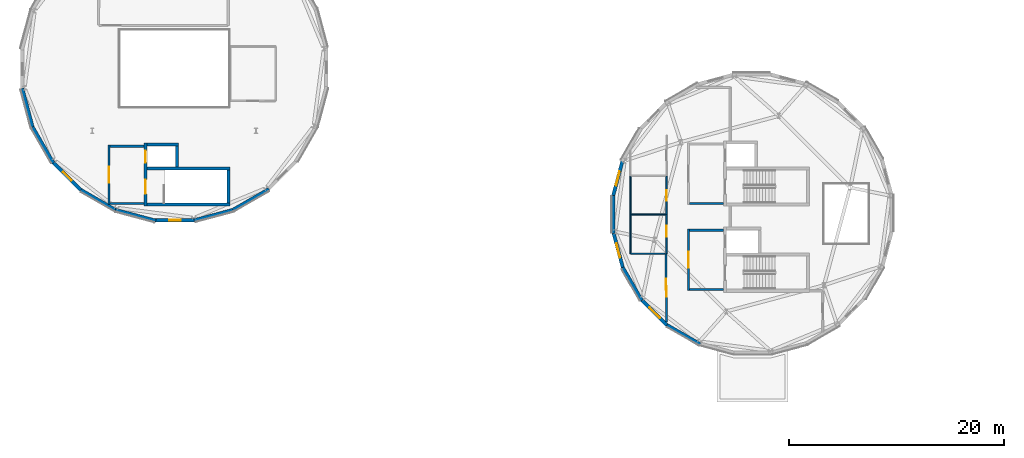
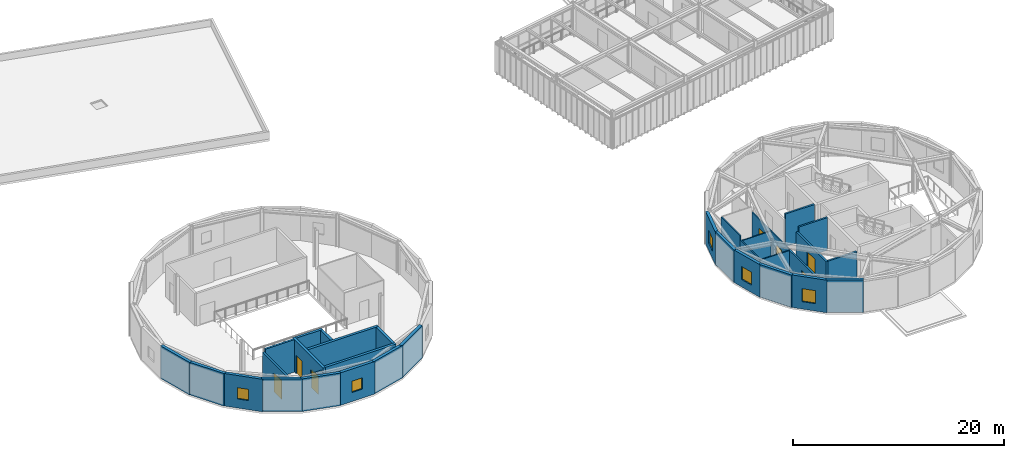
# One storey, part 26 of 44: 34 walls, 7 doors, 5 windows, 12 openings.
"""IFC4 building model written with IfcOpenShell, lengths in metres."""

from ifc_helpers import new_model, si_unit, direction, frame, frame_2d, origin, place, context, subcontext, project, spatial, rectangle, extrude, material, layer, layer_set, type_object, element, fill, save


model = new_model("IFC4")

# Units and contexts
model_context = context("Model", 3, precision=1e-05, world=origin(), true_north=direction((0.0, 1.0)))
body_context = subcontext(model_context, "Body", "Model", "MODEL_VIEW")
ifc_project = project(units=[si_unit("LENGTHUNIT", "METRE"), si_unit("AREAUNIT", "SQUARE_METRE"), si_unit("VOLUMEUNIT", "CUBIC_METRE"), si_unit("PLANEANGLEUNIT", "RADIAN"), si_unit("MASSUNIT", "GRAM", prefix="KILO")], contexts=[model_context])

# Site, building, storey
site_placement = place(None, origin())
site = spatial("IfcSite", under=ifc_project, at=site_placement, CompositionType="ELEMENT")
building_placement = place(site_placement, origin())
building = spatial("IfcBuilding", under=site, at=building_placement, Name="Varnklinge Art Gallery", CompositionType="ELEMENT")
storey_placement = place(building_placement, frame((0.0, 0.0, 13.679931640625)))
storey = spatial("IfcBuildingStorey", under=building, at=storey_placement, Name="L03", CompositionType="ELEMENT", Elevation=13.679931640625)

# Walls
ifc_material_1 = material(Name="Precast concrete C40/50", Category="concrete")
ifc_layer_1 = layer(ifc_material_1, 0.320068359375)
ifc_layer_set_1 = layer_set([ifc_layer_1], Name="Precast concrete C40/50")
wall_type_1 = type_object("IfcWallType", Name="EW-32", PredefinedType="SOLIDWALL", material=ifc_layer_set_1)
wall_1_placement = place(storey_placement, frame((30.606689453125, 40.78369140625, 0.0), z_axis=(0.0, 0.0, 1.0), x_axis=(-0.866049276577, -0.499958648831, 0.0)))
element("IfcWall", 1, at=wall_1_placement, inside=storey, type_object=wall_type_1, Name="L03 Exterior Wall EW-V3-L03-05", PredefinedType="SOLIDWALL", context=body_context, shape_type="SweptSolid", body=[
    extrude(rectangle(XDim=3.877197265625, YDim=0.320068359375, at=frame_2d((1.9384765625, 0.0))), origin(), (0.0, 0.0, 1.0), 3.760009765625),
])
wall_2_placement = place(storey_placement, frame((27.4033203125, 38.88671875, 0.0), z_axis=(0.0, 0.0, 1.0), x_axis=(-0.965926970208, -0.258814775902, 0.0)))
element("IfcWall", 2, at=wall_2_placement, inside=storey, type_object=wall_type_1, Name="L03 Exterior Wall EW-V3-L03-06", PredefinedType="SOLIDWALL", context=body_context, shape_type="SweptSolid", body=[
    extrude(rectangle(XDim=3.876953125, YDim=0.320068359375, at=frame_2d((1.9384765625, 0.0))), origin(), (0.0, 0.0, 1.0), 3.760009765625),
])

# Wall, opening, window
wall_3_placement = place(storey_placement, frame((23.818603515625, 37.88330078125, 0.0), z_axis=(0.0, 0.0, 1.0), x_axis=(-1.0, 0.0, 0.0)))
wall_3 = element("IfcWall", 3, at=wall_3_placement, inside=storey, type_object=wall_type_1, Name="L03 Exterior Wall EW-V3-L03-07", PredefinedType="SOLIDWALL", context=body_context, shape_type="SweptSolid", body=[
    extrude(rectangle(XDim=3.877197265625, YDim=0.320068359375, at=frame_2d((1.9384765625, 0.0))), origin(), (0.0, 0.0, 1.0), 3.760009765625),
])
opening_1_placement = place(wall_3_placement, frame((1.388427734375, 0.0, 1.050048828125)))
opening_1 = element("IfcOpeningElement", 4, at=opening_1_placement, cuts=wall_3, Name="Opening WN-15", PredefinedType="OPENING", context=body_context, shape_type="SweptSolid", body=[
    extrude(rectangle(XDim=1.10009765625, YDim=1.300048828125, at=frame_2d((0.550048828125, 0.64990234375))), frame((0.0, 0.170166015625, 0.0), z_axis=(0.0, -1.0, 0.0), x_axis=(1.0, 0.0, 0.0)), (0.0, 0.0, 1.0), 0.340087890625),
])
ifc_material_2 = material(Name="Insulated Low-E Triple Glazing", Category="glass")
window_type_1 = type_object("IfcWindowType", Name="WN-15", PartitioningType="SINGLE_PANEL", PredefinedType="WINDOW", material=ifc_material_2)
window_1_placement = place(opening_1_placement, origin())
window_1 = element("IfcWindow", 5, at=window_1_placement, inside=storey, type_object=window_type_1, Name="L03 Window WIN-L03-060", OverallHeight=1.300048828125, OverallWidth=1.10009765625, PartitioningType="SINGLE_PANEL", PredefinedType="WINDOW", context=body_context, shape_type="SweptSolid", body=[
    extrude(rectangle(XDim=1.10009765625, YDim=1.300048828125, at=frame_2d((0.550048828125, 0.64990234375))), frame((0.0, 0.030029296875, 0.0), z_axis=(0.0, -1.0, 0.0), x_axis=(1.0, 0.0, 0.0)), (0.0, 0.0, 1.0), 0.06005859375),
])
fill(opening_1, window_1)

# Walls
wall_4_placement = place(storey_placement, frame((20.095947265625, 37.841796875, 0.0), z_axis=(0.0, 0.0, 1.0), x_axis=(-0.96592275164, 0.258830519575, 0.0)))
element("IfcWall", 6, at=wall_4_placement, inside=storey, type_object=wall_type_1, Name="L03 Exterior Wall EW-V3-L03-08", PredefinedType="SOLIDWALL", context=body_context, shape_type="SweptSolid", body=[
    extrude(rectangle(XDim=3.876708984375, YDim=0.320068359375, at=frame_2d((1.9384765625, 0.0))), origin(), (0.0, 0.0, 1.0), 3.760009765625),
])
wall_5_placement = place(storey_placement, frame((16.48974609375, 38.76513671875, 0.0), z_axis=(0.0, 0.0, 1.0), x_axis=(-0.866033536122, 0.499985914114, 0.0)))
element("IfcWall", 7, at=wall_5_placement, inside=storey, type_object=wall_type_1, Name="L03 Exterior Wall EW-V3-L03-09", PredefinedType="SOLIDWALL", context=body_context, shape_type="SweptSolid", body=[
    extrude(rectangle(XDim=3.876953125, YDim=0.320068359375, at=frame_2d((1.9384765625, 0.0))), origin(), (0.0, 0.0, 1.0), 3.760009765625),
])

# Wall, opening, window
wall_6_placement = place(storey_placement, frame((13.2451171875, 40.590576171875, 0.0), z_axis=(0.0, 0.0, 1.0), x_axis=(-0.707106781187, 0.707106781187, 0.0)))
wall_6 = element("IfcWall", 8, at=wall_6_placement, inside=storey, type_object=wall_type_1, Name="L03 Exterior Wall EW-V3-L03-10", PredefinedType="SOLIDWALL", context=body_context, shape_type="SweptSolid", body=[
    extrude(rectangle(XDim=3.876953125, YDim=0.320068359375, at=frame_2d((1.9384765625, 0.0))), origin(), (0.0, 0.0, 1.0), 3.760009765625),
])
opening_2_placement = place(wall_6_placement, frame((1.388427734375, 0.0, 1.050048828125)))
opening_2 = element("IfcOpeningElement", 9, at=opening_2_placement, cuts=wall_6, Name="Opening WN-15", PredefinedType="OPENING", context=body_context, shape_type="SweptSolid", body=[
    extrude(rectangle(XDim=1.10009765625, YDim=1.300048828125, at=frame_2d((0.550048828125, 0.64990234375))), frame((0.0, 0.170166015625, 0.0), z_axis=(0.0, -1.0, 0.0), x_axis=(1.0, 0.0, 0.0)), (0.0, 0.0, 1.0), 0.340087890625),
])
window_2_placement = place(opening_2_placement, origin())
window_2 = element("IfcWindow", 10, at=window_2_placement, inside=storey, type_object=window_type_1, Name="L03 Window WIN-L03-061", OverallHeight=1.300048828125, OverallWidth=1.10009765625, PartitioningType="SINGLE_PANEL", PredefinedType="WINDOW", context=body_context, shape_type="SweptSolid", body=[
    extrude(rectangle(XDim=1.10009765625, YDim=1.300048828125, at=frame_2d((0.550048828125, 0.64990234375))), frame((0.0, 0.030029296875, 0.0), z_axis=(0.0, -1.0, 0.0), x_axis=(1.0, 0.0, 0.0)), (0.0, 0.0, 1.0), 0.06005859375),
])
fill(opening_2, window_2)

# Walls
wall_7_placement = place(storey_placement, frame((10.583740234375, 43.193359375, 0.0), z_axis=(0.0, 0.0, 1.0), x_axis=(-0.499958648831, 0.866049276577, 0.0)))
element("IfcWall", 11, at=wall_7_placement, inside=storey, type_object=wall_type_1, Name="L03 Exterior Wall EW-V3-L03-11", PredefinedType="SOLIDWALL", context=body_context, shape_type="SweptSolid", body=[
    extrude(rectangle(XDim=3.877197265625, YDim=0.320068359375, at=frame_2d((1.9384765625, 0.0))), origin(), (0.0, 0.0, 1.0), 3.760009765625),
])
wall_8_placement = place(storey_placement, frame((8.6865234375, 46.396728515625, 0.0), z_axis=(0.0, 0.0, 1.0), x_axis=(-0.258814775902, 0.965926970208, 0.0)))
element("IfcWall", 12, at=wall_8_placement, inside=storey, type_object=wall_type_1, Name="L03 Exterior Wall EW-V3-L03-12", PredefinedType="SOLIDWALL", context=body_context, shape_type="SweptSolid", body=[
    extrude(rectangle(XDim=3.876953125, YDim=0.320068359375, at=frame_2d((1.9384765625, 0.0))), origin(), (0.0, 0.0, 1.0), 3.760009765625),
])
wall_9_placement = place(storey_placement, frame((70.64892578125, 26.373779296875, 0.0), z_axis=(0.0, 0.0, 1.0), x_axis=(-0.866021313335, 0.500007084799, 0.0)))
element("IfcWall", 13, at=wall_9_placement, inside=storey, type_object=wall_type_1, Name="L03 Exterior Wall EW-V4D-L03-09", PredefinedType="SOLIDWALL", context=body_context, shape_type="SweptSolid", body=[
    extrude(rectangle(XDim=3.56396484375, YDim=0.320068359375, at=frame_2d((1.781982421875, 0.0))), origin(), (0.0, 0.0, 1.0), 3.760009765625),
])

# Wall, opening, window
wall_10_placement = place(storey_placement, frame((67.675537109375, 28.04248046875, 0.0), z_axis=(0.0, 0.0, 1.0), x_axis=(-0.707072526286, 0.707141034428, 0.0)))
wall_10 = element("IfcWall", 14, at=wall_10_placement, inside=storey, type_object=wall_type_1, Name="L03 Exterior Wall EW-V4D-L03-10", PredefinedType="SOLIDWALL", context=body_context, shape_type="SweptSolid", body=[
    extrude(rectangle(XDim=3.563720703125, YDim=0.320068359375, at=frame_2d((1.78173828125, 0.0))), origin(), (0.0, 0.0, 1.0), 3.760009765625),
])
opening_3_placement = place(wall_10_placement, frame((1.106689453125, 0.0, 0.85009765625)))
opening_3 = element("IfcOpeningElement", 15, at=opening_3_placement, cuts=wall_10, Name="Opening WN-02", PredefinedType="OPENING", context=body_context, shape_type="SweptSolid", body=[
    extrude(rectangle(XDim=1.35009765625, YDim=1.5, at=frame_2d((0.675048828125, 0.75))), frame((0.0, 0.170166015625, 0.0), z_axis=(0.0, -1.0, 0.0), x_axis=(1.0, 0.0, 0.0)), (0.0, 0.0, 1.0), 0.340087890625),
])
ifc_material_3 = material(Name="Insulated Low-E Triple Glazing", Category="glass")
window_type_2 = type_object("IfcWindowType", Name="WN-02", PartitioningType="SINGLE_PANEL", PredefinedType="WINDOW", material=ifc_material_3)
window_3_placement = place(opening_3_placement, origin())
window_3 = element("IfcWindow", 16, at=window_3_placement, inside=storey, type_object=window_type_2, Name="L03 Window WIN-L03-098", OverallHeight=1.5, OverallWidth=1.35009765625, PartitioningType="SINGLE_PANEL", PredefinedType="WINDOW", context=body_context, shape_type="SweptSolid", body=[
    extrude(rectangle(XDim=1.35009765625, YDim=1.5, at=frame_2d((0.675048828125, 0.75))), frame((0.0, 0.030029296875, 0.0), z_axis=(0.0, -1.0, 0.0), x_axis=(1.0, 0.0, 0.0)), (0.0, 0.0, 1.0), 0.06005859375),
])
fill(opening_3, window_3)

# Wall
wall_11_placement = place(storey_placement, frame((65.235595703125, 30.423828125, 0.0), z_axis=(0.0, 0.0, 1.0), x_axis=(-0.499926044331, 0.8660680979, 0.0)))
element("IfcWall", 17, at=wall_11_placement, inside=storey, type_object=wall_type_1, Name="L03 Exterior Wall EW-V4D-L03-11", PredefinedType="SOLIDWALL", context=body_context, shape_type="SweptSolid", body=[
    extrude(rectangle(XDim=3.56396484375, YDim=0.320068359375, at=frame_2d((1.781982421875, 0.0))), origin(), (0.0, 0.0, 1.0), 3.760009765625),
])

# Wall, opening, window
wall_12_placement = place(storey_placement, frame((63.495361328125, 33.35595703125, 0.0), z_axis=(0.0, 0.0, 1.0), x_axis=(-0.258830827966, 0.965922669003, 0.0)))
wall_12 = element("IfcWall", 18, at=wall_12_placement, inside=storey, type_object=wall_type_1, Name="L03 Exterior Wall EW-V4D-L03-12", PredefinedType="SOLIDWALL", context=body_context, shape_type="SweptSolid", body=[
    extrude(rectangle(XDim=3.5634765625, YDim=0.320068359375, at=frame_2d((1.78173828125, 0.0))), origin(), (0.0, 0.0, 1.0), 3.760009765625),
])
opening_4_placement = place(wall_12_placement, frame((1.10693359375, 0.0, 0.85009765625)))
opening_4 = element("IfcOpeningElement", 19, at=opening_4_placement, cuts=wall_12, Name="Opening WN-02", PredefinedType="OPENING", context=body_context, shape_type="SweptSolid", body=[
    extrude(rectangle(XDim=1.35009765625, YDim=1.5, at=frame_2d((0.675048828125, 0.75))), frame((0.0, 0.170166015625, 0.0), z_axis=(0.0, -1.0, 0.0), x_axis=(1.0, 0.0, 0.0)), (0.0, 0.0, 1.0), 0.340087890625),
])
window_4_placement = place(opening_4_placement, origin())
window_4 = element("IfcWindow", 20, at=window_4_placement, inside=storey, type_object=window_type_2, Name="L03 Window WIN-L03-099", OverallHeight=1.5, OverallWidth=1.35009765625, PartitioningType="SINGLE_PANEL", PredefinedType="WINDOW", context=body_context, shape_type="SweptSolid", body=[
    extrude(rectangle(XDim=1.35009765625, YDim=1.5, at=frame_2d((0.675048828125, 0.75))), frame((0.0, 0.030029296875, 0.0), z_axis=(0.0, -1.0, 0.0), x_axis=(1.0, 0.0, 0.0)), (0.0, 0.0, 1.0), 0.06005859375),
])
fill(opening_4, window_4)

# Wall
wall_13_placement = place(storey_placement, frame((62.572998046875, 36.63818359375, 0.0), z_axis=(0.0, 0.0, 1.0), x_axis=(0.0, 1.0, 0.0)))
element("IfcWall", 21, at=wall_13_placement, inside=storey, type_object=wall_type_1, Name="L03 Exterior Wall EW-V4D-L03-13", PredefinedType="SOLIDWALL", context=body_context, shape_type="SweptSolid", body=[
    extrude(rectangle(XDim=3.563720703125, YDim=0.320068359375, at=frame_2d((1.78173828125, 0.0))), origin(), (0.0, 0.0, 1.0), 3.760009765625),
])

# Wall, opening, window
wall_14_placement = place(storey_placement, frame((62.531494140625, 40.04736328125, 0.0), z_axis=(0.0, 0.0, 1.0), x_axis=(0.258830827966, 0.965922669003, 0.0)))
wall_14 = element("IfcWall", 22, at=wall_14_placement, inside=storey, type_object=wall_type_1, Name="L03 Exterior Wall EW-V4D-L03-14", PredefinedType="SOLIDWALL", context=body_context, shape_type="SweptSolid", body=[
    extrude(rectangle(XDim=3.5634765625, YDim=0.320068359375, at=frame_2d((1.78173828125, 0.0))), origin(), (0.0, 0.0, 1.0), 3.760009765625),
])
opening_5_placement = place(wall_14_placement, frame((1.10693359375, 0.0, 0.85009765625)))
opening_5 = element("IfcOpeningElement", 23, at=opening_5_placement, cuts=wall_14, Name="Opening WN-02", PredefinedType="OPENING", context=body_context, shape_type="SweptSolid", body=[
    extrude(rectangle(XDim=1.35009765625, YDim=1.5, at=frame_2d((0.675048828125, 0.75))), frame((0.0, 0.170166015625, 0.0), z_axis=(0.0, -1.0, 0.0), x_axis=(1.0, 0.0, 0.0)), (0.0, 0.0, 1.0), 0.340087890625),
])
window_5_placement = place(opening_5_placement, origin())
window_5 = element("IfcWindow", 24, at=window_5_placement, inside=storey, type_object=window_type_2, Name="L03 Window WIN-L03-100", OverallHeight=1.5, OverallWidth=1.35009765625, PartitioningType="SINGLE_PANEL", PredefinedType="WINDOW", context=body_context, shape_type="SweptSolid", body=[
    extrude(rectangle(XDim=1.35009765625, YDim=1.5, at=frame_2d((0.675048828125, 0.75))), frame((0.0, 0.030029296875, 0.0), z_axis=(0.0, -1.0, 0.0), x_axis=(1.0, 0.0, 0.0)), (0.0, 0.0, 1.0), 0.06005859375),
])
fill(opening_5, window_5)

# Wall, opening, door
ifc_material_4 = material(Name="Gypsum Board Partition", Category="gypsum")
ifc_layer_2 = layer(ifc_material_4, 0.1201171875)
ifc_layer_set_2 = layer_set([ifc_layer_2], Name="Gypsum Board Partition")
wall_type_2 = type_object("IfcWallType", Name="IW-12", PredefinedType="PARTITIONING", material=ifc_layer_set_2)
wall_15_placement = place(storey_placement, frame((67.530029296875, 38.39990234375, 0.0), z_axis=(0.0, 0.0, 1.0), x_axis=(0.0, -1.0, 0.0)))
wall_15 = element("IfcWall", 25, at=wall_15_placement, inside=storey, type_object=wall_type_2, Name="L03 Partition Wall IW-L03-0334", PredefinedType="PARTITIONING", context=body_context, shape_type="SweptSolid", body=[
    extrude(rectangle(XDim=3.599853515625, YDim=0.1201171875, at=frame_2d((1.7998046875, 0.0))), origin(), (0.0, 0.0, 1.0), 3.150146484375),
])
opening_6_placement = place(wall_15_placement, frame((1.001953125, 0.0, 0.0)))
opening_6 = element("IfcOpeningElement", 26, at=opening_6_placement, cuts=wall_15, Name="Opening D-L03-252", PredefinedType="OPENING", context=body_context, shape_type="SweptSolid", body=[
    extrude(rectangle(XDim=1.02001953125, YDim=2.1201171875, at=frame_2d((0.510009765625, 1.06005859375))), frame((0.0, 0.070068359375, 0.0), z_axis=(0.0, -1.0, 0.0), x_axis=(1.0, 0.0, 0.0)), (0.0, 0.0, 1.0), 0.14013671875),
])
ifc_material_5 = material(Name="Oak Timber Leaf", Category="wood")
door_type_1 = type_object("IfcDoorType", Name="ID-03", OperationType="SINGLE_SWING_LEFT", PredefinedType="DOOR", material=ifc_material_5)
door_1_placement = place(opening_6_placement, origin())
door_1 = element("IfcDoor", 27, at=door_1_placement, inside=storey, type_object=door_type_1, Name="L03 L03 Accessible WC Central Door D-L03-252", OperationType="SINGLE_SWING_RIGHT", OverallHeight=2.1201171875, OverallWidth=1.02001953125, PredefinedType="DOOR", context=body_context, shape_type="SweptSolid", body=[
    extrude(rectangle(XDim=1.02001953125, YDim=2.1201171875, at=frame_2d((0.510009765625, 1.06005859375))), frame((0.0, 0.02490234375, 0.0), z_axis=(0.0, -1.0, 0.0), x_axis=(1.0, 0.0, 0.0)), (0.0, 0.0, 1.0), 0.050048828125),
])
fill(opening_6, door_1)

wall_16_placement = place(storey_placement, frame((67.530029296875, 42.0, 0.0), z_axis=(0.0, 0.0, 1.0), x_axis=(0.0, -1.0, 0.0)))
wall_16 = element("IfcWall", 28, at=wall_16_placement, inside=storey, type_object=wall_type_2, Name="L03 Partition Wall IW-L03-0335", PredefinedType="PARTITIONING", context=body_context, shape_type="SweptSolid", body=[
    extrude(rectangle(XDim=3.60009765625, YDim=0.1201171875, at=frame_2d((1.800048828125, 0.0))), origin(), (0.0, 0.0, 1.0), 3.150146484375),
])
opening_7_placement = place(wall_16_placement, frame((1.320068359375, 0.0, 0.0)))
opening_7 = element("IfcOpeningElement", 29, at=opening_7_placement, cuts=wall_16, Name="Opening D-L03-253", PredefinedType="OPENING", context=body_context, shape_type="SweptSolid", body=[
    extrude(rectangle(XDim=0.9599609375, YDim=2.10009765625, at=frame_2d((0.47998046875, 1.050048828125))), frame((0.0, 0.070068359375, 0.0), z_axis=(0.0, -1.0, 0.0), x_axis=(1.0, 0.0, 0.0)), (0.0, 0.0, 1.0), 0.14013671875),
])
ifc_material_6 = material(Name="Oak Timber Leaf", Category="wood")
door_type_2 = type_object("IfcDoorType", Name="ID-02", OperationType="SINGLE_SWING_RIGHT", PredefinedType="DOOR", material=ifc_material_6)
door_2_placement = place(opening_7_placement, origin())
door_2 = element("IfcDoor", 30, at=door_2_placement, inside=storey, type_object=door_type_2, Name="L03 L03 Public Restroom Central Door D-L03-253", OperationType="SINGLE_SWING_LEFT", OverallHeight=2.10009765625, OverallWidth=0.9599609375, PredefinedType="DOOR", context=body_context, shape_type="SweptSolid", body=[
    extrude(rectangle(XDim=0.9599609375, YDim=2.10009765625, at=frame_2d((0.47998046875, 1.050048828125))), frame((0.0, 0.02490234375, 0.0), z_axis=(0.0, -1.0, 0.0), x_axis=(1.0, 0.0, 0.0)), (0.0, 0.0, 1.0), 0.050048828125),
])
fill(opening_7, door_2)

# Walls
wall_17_placement = place(storey_placement, frame((64.199951171875, 38.429931640625, 0.0), z_axis=(0.0, 0.0, 1.0), x_axis=(1.0, 0.0, 0.0)))
element("IfcWall", 31, at=wall_17_placement, inside=storey, type_object=wall_type_2, Name="L03 Partition Wall IW-L03-0351", PredefinedType="PARTITIONING", context=body_context, shape_type="SweptSolid", body=[
    extrude(rectangle(XDim=3.255126953125, YDim=0.1201171875, at=frame_2d((1.62744140625, 0.0))), origin(), (0.0, 0.0, 1.0), 3.150146484375),
])
wall_18_placement = place(storey_placement, frame((67.365234375, 34.77001953125, 0.0), z_axis=(0.0, 0.0, 1.0), x_axis=(-0.999994063851, 0.003445615075, 0.0)))
element("IfcWall", 32, at=wall_18_placement, inside=storey, type_object=wall_type_2, Name="L03 Partition Wall IW-L03-0352", PredefinedType="PARTITIONING", context=body_context, shape_type="SweptSolid", body=[
    extrude(rectangle(XDim=3.1884765625, YDim=0.1201171875, at=frame_2d((1.59423828125, 0.0))), origin(), (0.0, 0.0, 1.0), 3.150146484375),
])
wall_19_placement = place(storey_placement, frame((64.1767578125, 34.781005859375, 0.0), z_axis=(0.0, 0.0, 1.0), x_axis=(-0.001888952982, 0.999998215927, 0.0)))
element("IfcWall", 33, at=wall_19_placement, inside=storey, type_object=wall_type_2, Name="L03 Partition Wall IW-L03-0353", PredefinedType="PARTITIONING", context=body_context, shape_type="SweptSolid", body=[
    extrude(rectangle(XDim=3.618896484375, YDim=0.1201171875, at=frame_2d((1.8095703125, 0.0))), origin(), (0.0, 0.0, 1.0), 3.300048828125),
])
wall_20_placement = place(storey_placement, frame((64.169921875, 38.39990234375, 0.0), z_axis=(0.0, 0.0, 1.0), x_axis=(0.0, 1.0, 0.0)))
element("IfcWall", 34, at=wall_20_placement, inside=storey, type_object=wall_type_2, Name="L03 Partition Wall IW-L03-0355", PredefinedType="PARTITIONING", context=body_context, shape_type="SweptSolid", body=[
    extrude(rectangle(XDim=3.60009765625, YDim=0.1201171875, at=frame_2d((1.800048828125, 0.0))), origin(), (0.0, 0.0, 1.0), 3.75),
])

# Wall, opening, door
ifc_material_7 = material(Name="Gypsum Board Partition", Category="gypsum")
ifc_layer_3 = layer(ifc_material_7, 0.179931640625)
ifc_layer_set_3 = layer_set([ifc_layer_3], Name="Gypsum Board Partition")
wall_type_3 = type_object("IfcWallType", Name="IW-18", PredefinedType="PARTITIONING", material=ifc_layer_set_3)
wall_21_placement = place(storey_placement, frame((67.517578125, 28.4326171875, 0.0), z_axis=(0.0, 0.0, 1.0), x_axis=(-0.007476498212, 0.999972050597, 0.0)))
wall_21 = element("IfcWall", 35, at=wall_21_placement, inside=storey, type_object=wall_type_3, Name="L03 Partition Wall IW-L03-0342", PredefinedType="PARTITIONING", context=body_context, shape_type="SweptSolid", body=[
    extrude(rectangle(XDim=6.36767578125, YDim=0.179931640625, at=frame_2d((3.183837890625, 0.0))), origin(), (0.0, 0.0, 1.0), 3.150146484375),
])
opening_8_placement = place(wall_21_placement, frame((2.36376953125, 0.0, 0.0)))
opening_8 = element("IfcOpeningElement", 36, at=opening_8_placement, cuts=wall_21, Name="Opening D-L03-256", PredefinedType="OPENING", context=body_context, shape_type="SweptSolid", body=[
    extrude(rectangle(XDim=1.639892578125, YDim=2.199951171875, at=frame_2d((0.81982421875, 1.10009765625))), frame((0.0, 0.099853515625, 0.0), z_axis=(0.0, -1.0, 0.0), x_axis=(1.0, 0.0, 0.0)), (0.0, 0.0, 1.0), 0.199951171875),
])
ifc_material_8 = material(Name="Oak Timber Leaf", Category="wood")
door_type_3 = type_object("IfcDoorType", Name="ID-08", OperationType="DOUBLE_DOOR_SINGLE_SWING", PredefinedType="DOOR", material=ifc_material_8)
door_3_placement = place(opening_8_placement, origin())
door_3 = element("IfcDoor", 37, at=door_3_placement, inside=storey, type_object=door_type_3, Name="L03 L03 Drum Monograph Exhibition Gallery 2 Door D-L03-256", OperationType="DOUBLE_DOOR_SINGLE_SWING", OverallHeight=2.199951171875, OverallWidth=1.639892578125, PredefinedType="DOOR", context=body_context, shape_type="SweptSolid", body=[
    extrude(rectangle(XDim=1.639892578125, YDim=2.199951171875, at=frame_2d((0.81982421875, 1.10009765625))), frame((0.0, 0.02490234375, 0.0), z_axis=(0.0, -1.0, 0.0), x_axis=(1.0, 0.0, 0.0)), (0.0, 0.0, 1.0), 0.050048828125),
])
fill(opening_8, door_3)

# Walls
ifc_material_9 = material(Name="Concrete C40/50", Category="concrete")
ifc_layer_4 = layer(ifc_material_9, 0.199951171875)
ifc_layer_set_4 = layer_set([ifc_layer_4], Name="Concrete C40/50")
wall_type_4 = type_object("IfcWallType", Name="IW-20", PredefinedType="PARTITIONING", material=ifc_layer_set_4)
wall_22_placement = place(storey_placement, frame((69.64990234375, 31.449951171875, 0.0), z_axis=(0.0, 0.0, 1.0), x_axis=(1.0, 0.0, 0.0)))
element("IfcWall", 38, at=wall_22_placement, inside=storey, type_object=wall_type_4, Name="L03 Core C1 Lobby South Wall", PredefinedType="PARTITIONING", context=body_context, shape_type="SweptSolid", body=[
    extrude(rectangle(XDim=3.150146484375, YDim=0.199951171875, at=frame_2d((1.5751953125, 0.0))), origin(), (0.0, 0.0, 1.0), 3.150146484375),
])
wall_23_placement = place(storey_placement, frame((72.800048828125, 36.9599609375, 0.0), z_axis=(0.0, 0.0, 1.0), x_axis=(-1.0, 0.0, 0.0)))
element("IfcWall", 39, at=wall_23_placement, inside=storey, type_object=wall_type_4, Name="L03 Core C1 Lobby North Wall", PredefinedType="PARTITIONING", context=body_context, shape_type="SweptSolid", body=[
    extrude(rectangle(XDim=3.150146484375, YDim=0.199951171875, at=frame_2d((1.5751953125, 0.0))), origin(), (0.0, 0.0, 1.0), 3.760009765625),
])

# Wall, opening, door
wall_24_placement = place(storey_placement, frame((69.550048828125, 31.35009765625, 0.0), z_axis=(0.0, 0.0, 1.0), x_axis=(0.0, 1.0, 0.0)))
wall_24 = element("IfcWall", 40, at=wall_24_placement, inside=storey, type_object=wall_type_4, Name="L03 Core C1 Lobby Corridor Wall", PredefinedType="PARTITIONING", context=body_context, shape_type="SweptSolid", body=[
    extrude(rectangle(XDim=5.7099609375, YDim=0.199951171875, at=frame_2d((2.85498046875, 0.0))), origin(), (0.0, 0.0, 1.0), 3.150146484375),
])
opening_9_placement = place(wall_24_placement, frame((2.114990234375, 0.0, 0.0)))
opening_9 = element("IfcOpeningElement", 41, at=opening_9_placement, cuts=wall_24, Name="Opening D-L03-015", PredefinedType="OPENING", context=body_context, shape_type="SweptSolid", body=[
    extrude(rectangle(XDim=1.47998046875, YDim=2.14990234375, at=frame_2d((0.739990234375, 1.074951171875))), frame((0.0, 0.110107421875, 0.0), z_axis=(0.0, -1.0, 0.0), x_axis=(1.0, 0.0, 0.0)), (0.0, 0.0, 1.0), 0.219970703125),
])
ifc_material_10 = material(Name="Galvanised Fire-Rated Steel", Category="steel")
door_type_4 = type_object("IfcDoorType", Name="ID-LB1", OperationType="DOUBLE_DOOR_SINGLE_SWING", PredefinedType="DOOR", material=ifc_material_10)
door_4_placement = place(opening_9_placement, origin())
door_4 = element("IfcDoor", 42, at=door_4_placement, inside=storey, type_object=door_type_4, Name="L03 Core C1 Protected Lobby Door D-L03-015", OperationType="DOUBLE_DOOR_SINGLE_SWING", OverallHeight=2.14990234375, OverallWidth=1.47998046875, PredefinedType="DOOR", context=body_context, shape_type="SweptSolid", body=[
    extrude(rectangle(XDim=1.47998046875, YDim=2.14990234375, at=frame_2d((0.739990234375, 1.074951171875))), frame((0.0, 0.02490234375, 0.0), z_axis=(0.0, -1.0, 0.0), x_axis=(1.0, 0.0, 0.0)), (0.0, 0.0, 1.0), 0.050048828125),
])
fill(opening_9, door_4)

# Walls
wall_25_placement = place(storey_placement, frame((69.64990234375, 39.449951171875, 0.0), z_axis=(0.0, 0.0, 1.0), x_axis=(1.0, 0.0, 0.0)))
element("IfcWall", 43, at=wall_25_placement, inside=storey, type_object=wall_type_4, Name="L03 Core C2 Lobby South Wall", PredefinedType="PARTITIONING", context=body_context, shape_type="SweptSolid", body=[
    extrude(rectangle(XDim=3.150146484375, YDim=0.199951171875, at=frame_2d((1.5751953125, 0.0))), origin(), (0.0, 0.0, 1.0), 3.760009765625),
])
wall_26_placement = place(storey_placement, frame((15.85009765625, 39.449951171875, 0.0), z_axis=(0.0, 0.0, 1.0), x_axis=(1.0, 0.0, 0.0)))
element("IfcWall", 44, at=wall_26_placement, inside=storey, type_object=wall_type_4, Name="L03 Core C6 Lobby South Wall", PredefinedType="PARTITIONING", context=body_context, shape_type="SweptSolid", body=[
    extrude(rectangle(XDim=3.14990234375, YDim=0.199951171875, at=frame_2d((1.574951171875, 0.0))), origin(), (0.0, 0.0, 1.0), 3.35009765625),
])
wall_27_placement = place(storey_placement, frame((19.0, 44.760009765625, 0.0), z_axis=(0.0, 0.0, 1.0), x_axis=(-1.0, 0.0, 0.0)))
element("IfcWall", 45, at=wall_27_placement, inside=storey, type_object=wall_type_4, Name="L03 Core C6 Lobby North Wall", PredefinedType="PARTITIONING", context=body_context, shape_type="SweptSolid", body=[
    extrude(rectangle(XDim=3.14990234375, YDim=0.199951171875, at=frame_2d((1.574951171875, 0.0))), origin(), (0.0, 0.0, 1.0), 3.760009765625),
])

# Wall, opening, door
wall_28_placement = place(storey_placement, frame((15.75, 39.35009765625, 0.0), z_axis=(0.0, 0.0, 1.0), x_axis=(0.0, 1.0, 0.0)))
wall_28 = element("IfcWall", 46, at=wall_28_placement, inside=storey, type_object=wall_type_4, Name="L03 Core C6 Lobby Corridor Wall", PredefinedType="PARTITIONING", context=body_context, shape_type="SweptSolid", body=[
    extrude(rectangle(XDim=5.510009765625, YDim=0.199951171875, at=frame_2d((2.7548828125, 0.0))), origin(), (0.0, 0.0, 1.0), 3.35009765625),
])
opening_10_placement = place(wall_28_placement, frame((2.014892578125, 0.0, 0.0)))
opening_10 = element("IfcOpeningElement", 47, at=opening_10_placement, cuts=wall_28, Name="Opening D-L03-099", PredefinedType="OPENING", context=body_context, shape_type="SweptSolid", body=[
    extrude(rectangle(XDim=1.47998046875, YDim=2.14990234375, at=frame_2d((0.739990234375, 1.074951171875))), frame((0.0, 0.110107421875, 0.0), z_axis=(0.0, -1.0, 0.0), x_axis=(1.0, 0.0, 0.0)), (0.0, 0.0, 1.0), 0.219970703125),
])
door_5_placement = place(opening_10_placement, origin())
door_5 = element("IfcDoor", 48, at=door_5_placement, inside=storey, type_object=door_type_4, Name="L03 Core C6 Protected Lobby Door D-L03-099", OperationType="DOUBLE_DOOR_SINGLE_SWING", OverallHeight=2.14990234375, OverallWidth=1.47998046875, PredefinedType="DOOR", context=body_context, shape_type="SweptSolid", body=[
    extrude(rectangle(XDim=1.47998046875, YDim=2.14990234375, at=frame_2d((0.739990234375, 1.074951171875))), frame((0.0, 0.02490234375, 0.0), z_axis=(0.0, -1.0, 0.0), x_axis=(1.0, 0.0, 0.0)), (0.0, 0.0, 1.0), 0.050048828125),
])
fill(opening_10, door_5)

# Walls
ifc_material_11 = material(Name="Concrete C40/50", Category="concrete")
ifc_layer_5 = layer(ifc_material_11, 0.280029296875)
ifc_layer_set_5 = layer_set([ifc_layer_5], Name="Concrete C40/50")
wall_type_5 = type_object("IfcWallType", Name="SW-28", PredefinedType="SHEAR", material=ifc_layer_set_5)
wall_29_placement = place(storey_placement, frame((19.2900390625, 39.35009765625, 0.0), z_axis=(0.0, 0.0, 1.0), x_axis=(1.0, 0.0, 0.0)))
element("IfcWall", 49, at=wall_29_placement, inside=storey, type_object=wall_type_5, Name="L03 Core C6 South Shear Wall", PredefinedType="SHEAR", context=body_context, shape_type="SweptSolid", body=[
    extrude(rectangle(XDim=7.699951171875, YDim=0.280029296875, at=frame_2d((3.85009765625, 0.0))), origin(), (0.0, 0.0, 1.0), 3.760009765625),
])
wall_30_placement = place(storey_placement, frame((26.85009765625, 39.489990234375, 0.0), z_axis=(0.0, 0.0, 1.0), x_axis=(0.0, 1.0, 0.0)))
element("IfcWall", 50, at=wall_30_placement, inside=storey, type_object=wall_type_5, Name="L03 Core C6 East Shear Wall", PredefinedType="SHEAR", context=body_context, shape_type="SweptSolid", body=[
    extrude(rectangle(XDim=3.080078125, YDim=0.280029296875, at=frame_2d((1.5400390625, 0.0))), origin(), (0.0, 0.0, 1.0), 3.760009765625),
])
wall_31_placement = place(storey_placement, frame((26.989990234375, 42.7099609375, 0.0), z_axis=(0.0, 0.0, 1.0), x_axis=(-1.0, 0.0, 0.0)))
element("IfcWall", 51, at=wall_31_placement, inside=storey, type_object=wall_type_5, Name="L03 Core C6 Dividing Shear Wall", PredefinedType="SHEAR", context=body_context, shape_type="SweptSolid", body=[
    extrude(rectangle(XDim=7.699951171875, YDim=0.280029296875, at=frame_2d((3.85009765625, 0.0))), origin(), (0.0, 0.0, 1.0), 3.760009765625),
])
wall_32_placement = place(storey_placement, frame((22.050048828125, 42.85009765625, 0.0), z_axis=(0.0, 0.0, 1.0), x_axis=(0.0, 1.0, 0.0)))
element("IfcWall", 52, at=wall_32_placement, inside=storey, type_object=wall_type_5, Name="L03 Core C6 Lift East Shear Wall", PredefinedType="SHEAR", context=body_context, shape_type="SweptSolid", body=[
    extrude(rectangle(XDim=1.919921875, YDim=0.280029296875, at=frame_2d((0.9599609375, 0.0))), origin(), (0.0, 0.0, 1.0), 3.760009765625),
])
wall_33_placement = place(storey_placement, frame((22.18994140625, 44.909912109375, 0.0), z_axis=(0.0, 0.0, 1.0), x_axis=(-1.0, 0.0, 0.0)))
element("IfcWall", 53, at=wall_33_placement, inside=storey, type_object=wall_type_5, Name="L03 Core C6 Lift North Shear Wall", PredefinedType="SHEAR", context=body_context, shape_type="SweptSolid", body=[
    extrude(rectangle(XDim=2.89990234375, YDim=0.280029296875, at=frame_2d((1.449951171875, 0.0))), origin(), (0.0, 0.0, 1.0), 3.760009765625),
])

# Wall, openings, doors
wall_34_placement = place(storey_placement, frame((19.14990234375, 45.050048828125, 0.0), z_axis=(0.0, 0.0, 1.0), x_axis=(0.0, -1.0, 0.0)))
wall_34 = element("IfcWall", 54, at=wall_34_placement, inside=storey, type_object=wall_type_5, Name="L03 Core C6 Front Shear Wall", PredefinedType="SHEAR", context=body_context, shape_type="SweptSolid", body=[
    extrude(rectangle(XDim=5.840087890625, YDim=0.280029296875, at=frame_2d((2.919921875, 0.0))), origin(), (0.0, 0.0, 1.0), 3.760009765625),
])
opening_11_placement = place(wall_34_placement, frame((0.699951171875, 0.0, 0.0)))
opening_11 = element("IfcOpeningElement", 55, at=opening_11_placement, cuts=wall_34, Name="Opening LD-L03-097", PredefinedType="OPENING", context=body_context, shape_type="SweptSolid", body=[
    extrude(rectangle(XDim=1.10009765625, YDim=2.1201171875, at=frame_2d((0.550048828125, 1.06005859375))), frame((0.0, 0.150146484375, 0.0), z_axis=(0.0, -1.0, 0.0), x_axis=(1.0, 0.0, 0.0)), (0.0, 0.0, 1.0), 0.300048828125),
])
opening_12_placement = place(wall_34_placement, frame((3.39990234375, 0.0, 0.0)))
opening_12 = element("IfcOpeningElement", 56, at=opening_12_placement, cuts=wall_34, Name="Opening D-L03-098", PredefinedType="OPENING", context=body_context, shape_type="SweptSolid", body=[
    extrude(rectangle(XDim=1.320068359375, YDim=2.1201171875, at=frame_2d((0.66015625, 1.06005859375))), frame((0.0, 0.150146484375, 0.0), z_axis=(0.0, -1.0, 0.0), x_axis=(1.0, 0.0, 0.0)), (0.0, 0.0, 1.0), 0.300048828125),
])
ifc_material_12 = material(Name="Galvanised Fire-Rated Steel", Category="steel")
door_type_5 = type_object("IfcDoorType", Name="ID-ST1", OperationType="SINGLE_SWING_LEFT", PredefinedType="DOOR", material=ifc_material_12)
door_6_placement = place(opening_12_placement, origin())
door_6 = element("IfcDoor", 57, at=door_6_placement, inside=storey, type_object=door_type_5, Name="L03 Stair ST-06 Fire Door D-L03-098", OperationType="SINGLE_SWING_LEFT", OverallHeight=2.1201171875, OverallWidth=1.320068359375, PredefinedType="DOOR", context=body_context, shape_type="SweptSolid", body=[
    extrude(rectangle(XDim=1.320068359375, YDim=2.1201171875, at=frame_2d((0.66015625, 1.06005859375))), frame((0.0, 0.02490234375, 0.0), z_axis=(0.0, -1.0, 0.0), x_axis=(1.0, 0.0, 0.0)), (0.0, 0.0, 1.0), 0.050048828125),
])
fill(opening_12, door_6)
ifc_material_13 = material(Name="Anodised Aluminium", Category="aluminium")
door_type_6 = type_object("IfcDoorType", Name="LD-PAX", OperationType="SLIDING_TO_LEFT", PredefinedType="DOOR", material=ifc_material_13)
door_7_placement = place(opening_11_placement, origin())
door_7 = element("IfcDoor", 58, at=door_7_placement, inside=storey, type_object=door_type_6, Name="L03 LF-05 Sliding Landing Door LD-L03-097", OperationType="SLIDING_TO_LEFT", OverallHeight=2.1201171875, OverallWidth=1.10009765625, PredefinedType="DOOR", context=body_context, shape_type="SweptSolid", body=[
    extrude(rectangle(XDim=1.10009765625, YDim=2.1201171875, at=frame_2d((0.550048828125, 1.06005859375))), frame((0.0, 0.02490234375, 0.0), z_axis=(0.0, -1.0, 0.0), x_axis=(1.0, 0.0, 0.0)), (0.0, 0.0, 1.0), 0.050048828125),
])
fill(opening_11, door_7)

save(model, "model.ifc")
